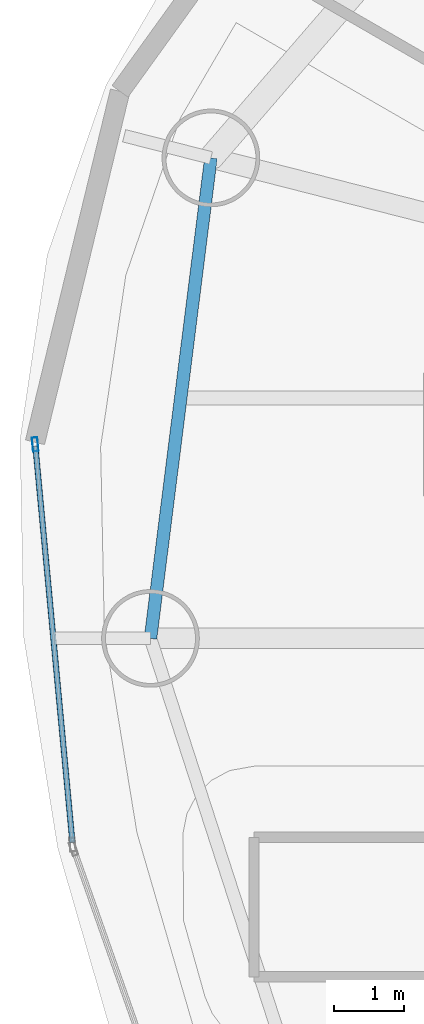
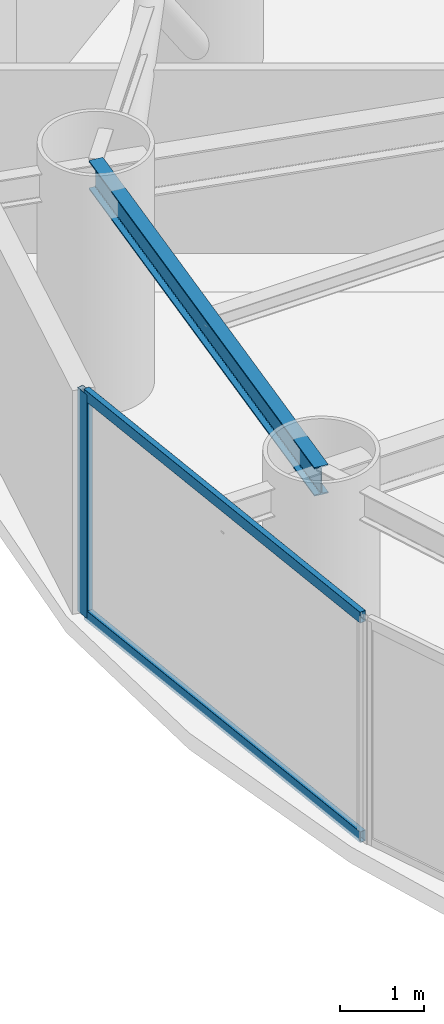
# One storey, part 5 of 20: 3 members, 1 beam, 1 element without a shape of its own.
"""IFC4 building model written with IfcOpenShell, lengths in metres."""

from ifc_helpers import new_model, si_unit, direction, frame, origin, origin_2d, place, context, subcontext, project, spatial, hollow_rectangle, i_section, extrude, material, layer, layer_set, material_profile, profile_set, type_object, element, aggregate, save


model = new_model("IFC4")

# Units and contexts
model_context = context("Model", 3, precision=1e-05, world=origin(), true_north=direction((0.0, 1.0)))
body_context = subcontext(model_context, "Body", "Model", "MODEL_VIEW")
ifc_project = project(units=[si_unit("LENGTHUNIT", "METRE"), si_unit("AREAUNIT", "SQUARE_METRE"), si_unit("VOLUMEUNIT", "CUBIC_METRE"), si_unit("PLANEANGLEUNIT", "RADIAN"), si_unit("MASSUNIT", "GRAM", prefix="KILO")], contexts=[model_context])

# Site, building, storey
site_placement = place(None, origin())
site = spatial("IfcSite", under=ifc_project, at=site_placement, CompositionType="ELEMENT")
building_placement = place(site_placement, origin())
building = spatial("IfcBuilding", under=site, at=building_placement, Name="Bramvorn Convention Spire", CompositionType="ELEMENT")
storey_placement = place(building_placement, frame((0.0, 0.0, 130.800048828125)))
storey = spatial("IfcBuildingStorey", under=building, at=storey_placement, Name="L32", CompositionType="ELEMENT", Elevation=130.800048828125)

# Beam
ifc_material_1 = material(Name="Steel CSA G40.21 Grade 350 (350W)", Category="steel")
ifc_material_profile_1 = material_profile(ifc_material_1, i_section(OverallWidth=0.180908203125, OverallDepth=0.4169921875, WebThickness=0.010986328125, FlangeThickness=0.018310546875, FilletRadius=0.01611328125, at=origin_2d()))
ifc_profile_set_1 = profile_set([ifc_material_profile_1], Name="Steel CSA G40.21 Grade 350 (350W) - W410X85")
beam_type = type_object("IfcBeamType", Name="BM-W410X85", PredefinedType="JOIST", material=ifc_profile_set_1)
beam_placement = place(storey_placement, frame((13.88232421875, 36.73779296875, 3.051513671875), z_axis=(-0.124775053879, -0.992185056292, 0.0), x_axis=(0.992185056292, -0.124775053879, 0.0)))
element("IfcBeam", 1, at=beam_placement, inside=storey, type_object=beam_type, Name="L32 mega-column ring beam 09", PredefinedType="JOIST", context=body_context, shape_type="SweptSolid", body=[
    extrude(i_section(OverallWidth=0.180908203125, OverallDepth=0.4169921875, WebThickness=0.010986328125, FlangeThickness=0.018310546875, FilletRadius=0.01611328125, at=origin_2d()), origin(), (0.0, 0.0, 1.0), 6.940185546875),
])

# Curtain wall, members
ifc_material_2 = material(Name="Anodised Bronze Unitised Curtain Wall", Category="aluminium")
ifc_layer = layer(ifc_material_2, 0.179931640625)
ifc_layer_set = layer_set([ifc_layer], Name="Anodised Bronze Unitised Curtain Wall - CW-HTL-FRIT")
curtain_wall_type = type_object("IfcCurtainWallType", Name="CW-HTL-FRIT", PredefinedType="USERDEFINED", material=ifc_layer_set)
curtain_wall_placement = place(storey_placement, origin())
curtain_wall = element("IfcCurtainWall", 2, at=curtain_wall_placement, inside=storey, type_object=curtain_wall_type, Name="L32 fritted glass curtain wall 14", ObjectType="UNITISED CURTAIN WALL", PredefinedType="USERDEFINED")
ifc_material_3 = material(Name="Anodised Bronze Aluminium 6063-T6", Category="aluminium")
ifc_material_profile_2 = material_profile(ifc_material_3, hollow_rectangle(XDim=0.080078125, YDim=0.199951171875, WallThickness=0.00390625, InnerFilletRadius=0.0009765625, OuterFilletRadius=0.00390625, at=origin_2d()))
ifc_profile_set_2 = profile_set([ifc_material_profile_2], Name="Anodised Bronze Aluminium 6063-T6 - CWM80X200")
member_type_1 = type_object("IfcMemberType", Name="CW-MUL-180", PredefinedType="MULLION", material=ifc_profile_set_2)
member_1_placement = place(storey_placement, frame((11.3642578125, 32.63330078125, 0.0), z_axis=(0.0, 0.0, 1.0), x_axis=(-0.995656641767, -0.09310129809, 0.0)))
member_1 = element("IfcMember", 3, at=member_1_placement, type_object=member_type_1, Name="CW2 mullion 2", PredefinedType="MULLION", context=body_context, shape_type="SweptSolid", body=[
    extrude(hollow_rectangle(XDim=0.080078125, YDim=0.199951171875, WallThickness=0.00390625, InnerFilletRadius=0.0009765625, OuterFilletRadius=0.00390625, at=origin_2d()), origin(), (0.0, 0.0, 1.0), 3.260009765625),
])
ifc_material_profile_3 = material_profile(ifc_material_3, hollow_rectangle(XDim=0.080078125, YDim=0.159912109375, WallThickness=0.00390625, InnerFilletRadius=0.0009765625, OuterFilletRadius=0.00390625, at=origin_2d()))
ifc_profile_set_3 = profile_set([ifc_material_profile_3], Name="Anodised Bronze Aluminium 6063-T6 - CWT80X160")
member_type_2 = type_object("IfcMemberType", Name="CW-TRN-150", PredefinedType="USERDEFINED", material=ifc_profile_set_3)
member_2_placement = place(storey_placement, frame((11.89794921875, 26.925537109375, 0.030029296875), z_axis=(-0.0931178973, 0.995655089477, 0.0), x_axis=(-0.995655089477, -0.0931178973, 0.0)))
member_2 = element("IfcMember", 4, at=member_2_placement, type_object=member_type_2, Name="CW2 transom 1.1", ObjectType="TRANSOM", PredefinedType="USERDEFINED", context=body_context, shape_type="SweptSolid", body=[
    extrude(hollow_rectangle(XDim=0.080078125, YDim=0.159912109375, WallThickness=0.00390625, InnerFilletRadius=0.0009765625, OuterFilletRadius=0.00390625, at=origin_2d()), origin(), (0.0, 0.0, 1.0), 5.702392578125),
])
member_3_placement = place(storey_placement, frame((11.89794921875, 26.925537109375, 3.22998046875), z_axis=(-0.0931178973, 0.995655089477, 0.0), x_axis=(-0.995655089477, -0.0931178973, 0.0)))
member_3 = element("IfcMember", 5, at=member_3_placement, type_object=member_type_2, Name="CW2 transom 1.2", ObjectType="TRANSOM", PredefinedType="USERDEFINED", context=body_context, shape_type="SweptSolid", body=[
    extrude(hollow_rectangle(XDim=0.080078125, YDim=0.159912109375, WallThickness=0.00390625, InnerFilletRadius=0.0009765625, OuterFilletRadius=0.00390625, at=origin_2d()), origin(), (0.0, 0.0, 1.0), 5.702392578125),
])
aggregate(curtain_wall, [member_1, member_2, member_3])

save(model, "model.ifc")
